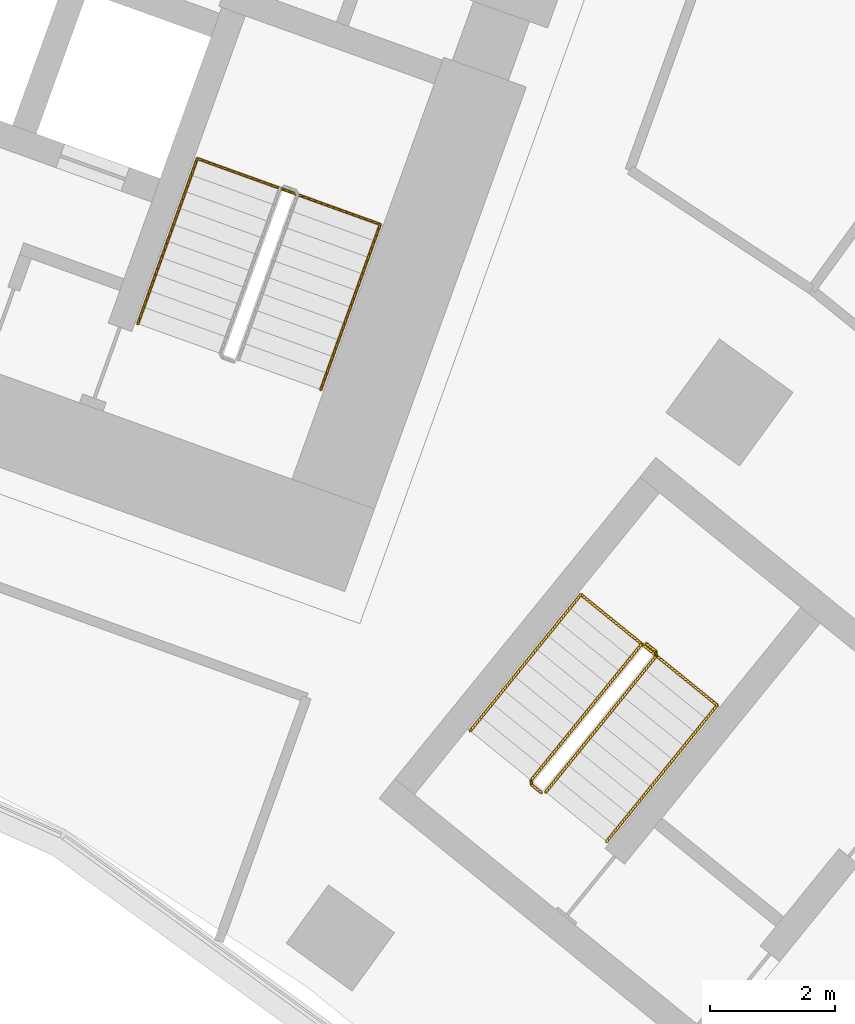
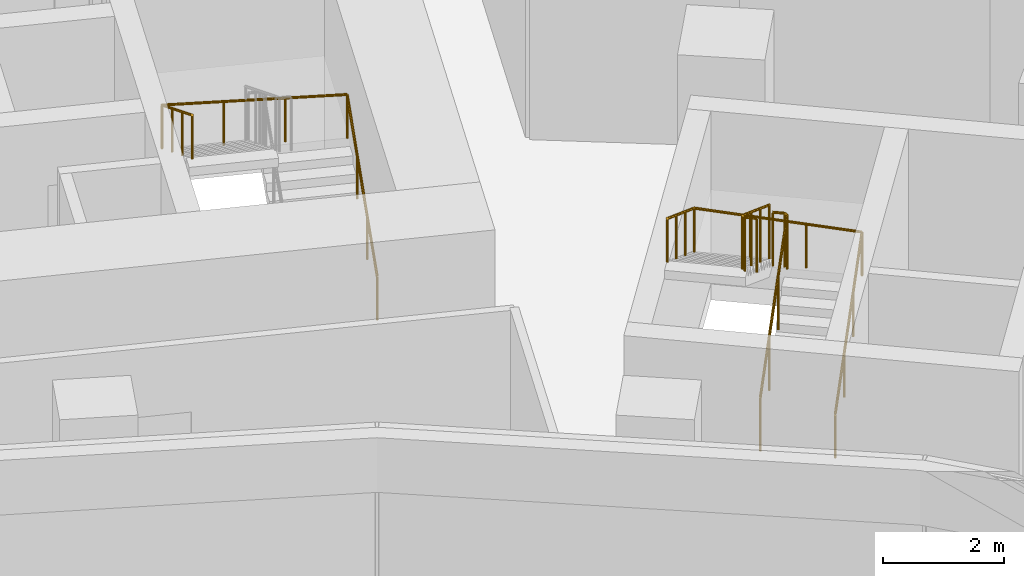
# One storey, part 23 of 23: 4 railings.
"""IFC4 building model written with IfcOpenShell, lengths in metres."""

from ifc_helpers import new_model, si_unit, direction, frame, origin, origin_2d, place, context, subcontext, project, spatial, circle, extrude, material, type_object, element, save


model = new_model("IFC4")

# Units and contexts
model_context = context("Model", 3, precision=1e-05, world=origin(), true_north=direction((0.0, 1.0)))
body_context = subcontext(model_context, "Body", "Model", "MODEL_VIEW")
ifc_project = project(units=[si_unit("LENGTHUNIT", "METRE"), si_unit("AREAUNIT", "SQUARE_METRE"), si_unit("VOLUMEUNIT", "CUBIC_METRE"), si_unit("PLANEANGLEUNIT", "RADIAN"), si_unit("MASSUNIT", "GRAM", prefix="KILO")], contexts=[model_context])

# Site, building, storey
site_placement = place(None, origin())
site = spatial("IfcSite", under=ifc_project, at=site_placement, CompositionType="ELEMENT")
building_placement = place(site_placement, origin())
building = spatial("IfcBuilding", under=site, at=building_placement, Name="Stone Belt Terrace Tower", CompositionType="ELEMENT")
storey_placement = place(building_placement, frame((0.0, 0.0, 98.39990234375)))
storey = spatial("IfcBuildingStorey", under=building, at=storey_placement, Name="L23", CompositionType="ELEMENT", Elevation=98.39990234375)

# Railings
ifc_material = material(Name="Structural steel C345", Category="steel")
railing_type_1 = type_object("IfcRailingType", Name="Stair guard 1100", PredefinedType="GUARDRAIL", material=ifc_material)
railing_1_placement = place(storey_placement, frame((29.39794921875, 38.281982421875, 0.1728515625)))
element("IfcRailing", 1, at=railing_1_placement, inside=storey, type_object=railing_type_1, Name="L23 ST3B stair guard 1", PredefinedType="GUARDRAIL", context=body_context, shape_type="SweptSolid", body=[
    extrude(circle(Radius=0.02392578125, at=origin_2d()), frame((0.0, 0.0, 1.076171875), z_axis=(0.536393061503, 0.660769759217, 0.525038864158), x_axis=(-0.776391310223, 0.630251166924, 0.0)), (0.0, 0.0, 1.0), 3.289794921875),
    extrude(circle(Radius=0.02392578125, at=origin_2d()), frame((1.7646484375, 2.173828125, 2.80322265625), z_axis=(-0.103251414163, 0.994655289773, 0.0), x_axis=(-0.994655289773, -0.103251414163, 0.0)), (0.0, 0.0, 1.0), 0.071044921875),
    extrude(circle(Radius=0.02392578125, at=origin_2d()), frame((1.75732421875, 2.244384765625, 2.80322265625), z_axis=(-0.776561986372, 0.630040856868, 0.0), x_axis=(-0.630040856868, -0.776561986372, 0.0)), (0.0, 0.0, 1.0), 0.199951171875),
    extrude(circle(Radius=0.02099609375, at=origin_2d()), origin(), (0.0, 0.0, 1.0), 1.052001953125),
    extrude(circle(Radius=0.02099609375, at=origin_2d()), frame((0.588134765625, 0.724609375, 0.57568359375)), (0.0, 0.0, 1.0), 1.052001953125),
    extrude(circle(Radius=0.02099609375, at=origin_2d()), frame((1.176513671875, 1.44921875, 1.151611328125)), (0.0, 0.0, 1.0), 1.052001953125),
    extrude(circle(Radius=0.02099609375, at=origin_2d()), frame((1.7646484375, 2.173828125, 1.727294921875)), (0.0, 0.0, 1.0), 1.052001953125),
    extrude(circle(Radius=0.02099609375, at=origin_2d()), frame((1.75732421875, 2.244384765625, 1.727294921875)), (0.0, 0.0, 1.0), 1.052001953125),
    extrude(circle(Radius=0.02099609375, at=origin_2d()), frame((1.60205078125, 2.370361328125, 1.727294921875)), (0.0, 0.0, 1.0), 1.052001953125),
])
railing_2_placement = place(storey_placement, frame((30.9296875, 40.64501953125, 2.07275390625)))
element("IfcRailing", 2, at=railing_2_placement, inside=storey, type_object=railing_type_1, Name="L23 ST3B stair guard 2", PredefinedType="GUARDRAIL", context=body_context, shape_type="SweptSolid", body=[
    extrude(circle(Radius=0.02392578125, at=origin_2d()), frame((0.0, 0.0, 1.076171875), z_axis=(-0.536366759382, -0.660811565066, 0.525013118792), x_axis=(0.776425942316, -0.630208502084, 0.0)), (0.0, 0.0, 1.0), 3.2900390625),
    extrude(circle(Radius=0.02392578125, at=origin_2d()), frame((-1.7646484375, -2.174072265625, 2.80322265625), z_axis=(0.103606084259, -0.994618408891, 0.0), x_axis=(0.994618408891, 0.103606084259, 0.0)), (0.0, 0.0, 1.0), 0.07080078125),
    extrude(circle(Radius=0.02392578125, at=origin_2d()), frame((-1.75732421875, -2.244384765625, 2.80322265625), z_axis=(0.776561986372, -0.630040856868, 0.0), x_axis=(0.630040856868, 0.776561986372, 0.0)), (0.0, 0.0, 1.0), 0.199951171875),
    extrude(circle(Radius=0.02099609375, at=origin_2d()), origin(), (0.0, 0.0, 1.0), 1.052001953125),
    extrude(circle(Radius=0.02099609375, at=origin_2d()), frame((-0.588134765625, -0.724609375, 0.57568359375)), (0.0, 0.0, 1.0), 1.052001953125),
    extrude(circle(Radius=0.02099609375, at=origin_2d()), frame((-1.176513671875, -1.449462890625, 1.151611328125)), (0.0, 0.0, 1.0), 1.052001953125),
    extrude(circle(Radius=0.02099609375, at=origin_2d()), frame((-1.7646484375, -2.174072265625, 1.727294921875)), (0.0, 0.0, 1.0), 1.052001953125),
    extrude(circle(Radius=0.02099609375, at=origin_2d()), frame((-1.75732421875, -2.244384765625, 1.727294921875)), (0.0, 0.0, 1.0), 1.052001953125),
    extrude(circle(Radius=0.02099609375, at=origin_2d()), frame((-1.60205078125, -2.370361328125, 1.727294921875)), (0.0, 0.0, 1.0), 1.052001953125),
])
railing_type_2 = type_object("IfcRailingType", Name="Stair handrail 900", PredefinedType="HANDRAIL", material=ifc_material)
railing_3_placement = place(storey_placement, frame((25.8115234375, 44.700439453125, 0.1728515625)))
element("IfcRailing", 3, at=railing_3_placement, inside=storey, type_object=railing_type_2, Name="L23 ST1B stair handrail 1", PredefinedType="HANDRAIL", context=body_context, shape_type="SweptSolid", body=[
    extrude(circle(Radius=0.02392578125, at=origin_2d()), frame((0.0, 0.0, 0.8759765625), z_axis=(0.288228637646, 0.800791768495, 0.525030280985), x_axis=(-0.940908529223, 0.338660803216, 0.0)), (0.0, 0.0, 1.0), 3.289794921875),
    extrude(circle(Radius=0.02392578125, at=origin_2d()), frame((0.9482421875, 2.634521484375, 2.60302734375), z_axis=(-0.939464517435, 0.338106580597, 0.055591012205), x_axis=(-0.338630230244, -0.940919532779, 0.0)), (0.0, 0.0, 1.0), 3.10498046875),
    extrude(circle(Radius=0.02392578125, at=origin_2d()), frame((-1.96875, 3.684326171875, 2.77587890625), z_axis=(-0.288160591223, -0.800808895155, 0.52504150989), x_axis=(0.940936311087, -0.338583606334, 0.0)), (0.0, 0.0, 1.0), 3.289794921875),
    extrude(circle(Radius=0.02099609375, at=origin_2d()), origin(), (0.0, 0.0, 1.0), 0.851806640625),
    extrude(circle(Radius=0.02099609375, at=origin_2d()), frame((0.316162109375, 0.878173828125, 0.57568359375)), (0.0, 0.0, 1.0), 0.851806640625),
    extrude(circle(Radius=0.02099609375, at=origin_2d()), frame((0.632080078125, 1.75634765625, 1.151611328125)), (0.0, 0.0, 1.0), 0.851806640625),
    extrude(circle(Radius=0.02099609375, at=origin_2d()), frame((0.9482421875, 2.634521484375, 1.727294921875)), (0.0, 0.0, 1.0), 0.851806640625),
    extrude(circle(Radius=0.02099609375, at=origin_2d()), frame((-0.024169921875, 2.984375, 1.784912109375)), (0.0, 0.0, 1.0), 0.851806640625),
    extrude(circle(Radius=0.02099609375, at=origin_2d()), frame((-0.996337890625, 3.33447265625, 1.84228515625)), (0.0, 0.0, 1.0), 0.851806640625),
    extrude(circle(Radius=0.02099609375, at=origin_2d()), frame((-1.96875, 3.684326171875, 1.89990234375)), (0.0, 0.0, 1.0), 0.851806640625),
    extrude(circle(Radius=0.02099609375, at=origin_2d()), frame((-2.28466796875, 2.80615234375, 2.4755859375)), (0.0, 0.0, 1.0), 0.851806640625),
    extrude(circle(Radius=0.02099609375, at=origin_2d()), frame((-2.600830078125, 1.927978515625, 3.051513671875)), (0.0, 0.0, 1.0), 0.851806640625),
    extrude(circle(Radius=0.02099609375, at=origin_2d()), frame((-2.916748046875, 1.0498046875, 3.627197265625)), (0.0, 0.0, 1.0), 0.851806640625),
])
railing_4_placement = place(storey_placement, frame((30.36865234375, 37.494140625, 0.1728515625)))
element("IfcRailing", 4, at=railing_4_placement, inside=storey, type_object=railing_type_2, Name="L23 ST3B stair handrail 1", PredefinedType="HANDRAIL", context=body_context, shape_type="SweptSolid", body=[
    extrude(circle(Radius=0.02392578125, at=origin_2d()), frame((0.0, 0.0, 0.8759765625), z_axis=(0.536366759382, 0.660811565066, 0.525013118792), x_axis=(-0.776425942316, 0.630208502084, 0.0)), (0.0, 0.0, 1.0), 3.2900390625),
    extrude(circle(Radius=0.02392578125, at=origin_2d()), frame((1.7646484375, 2.174072265625, 2.60302734375), z_axis=(-0.774954966459, 0.629014542119, 0.061526463929), x_axis=(-0.630208502084, -0.776425942316, 0.0)), (0.0, 0.0, 1.0), 2.805419921875),
    extrude(circle(Radius=0.02392578125, at=origin_2d()), frame((-0.409423828125, 3.938720703125, 2.77587890625), z_axis=(-0.536366759382, -0.660811565066, 0.525013118792), x_axis=(0.776425942316, -0.630208502084, 0.0)), (0.0, 0.0, 1.0), 3.2900390625),
    extrude(circle(Radius=0.02099609375, at=origin_2d()), origin(), (0.0, 0.0, 1.0), 0.851806640625),
    extrude(circle(Radius=0.02099609375, at=origin_2d()), frame((0.588134765625, 0.724609375, 0.57568359375)), (0.0, 0.0, 1.0), 0.851806640625),
    extrude(circle(Radius=0.02099609375, at=origin_2d()), frame((1.176513671875, 1.449462890625, 1.151611328125)), (0.0, 0.0, 1.0), 0.851806640625),
    extrude(circle(Radius=0.02099609375, at=origin_2d()), frame((1.7646484375, 2.174072265625, 1.727294921875)), (0.0, 0.0, 1.0), 0.851806640625),
    extrude(circle(Radius=0.02099609375, at=origin_2d()), frame((1.0400390625, 2.76220703125, 1.784912109375)), (0.0, 0.0, 1.0), 0.851806640625),
    extrude(circle(Radius=0.02099609375, at=origin_2d()), frame((0.315185546875, 3.3505859375, 1.84228515625)), (0.0, 0.0, 1.0), 0.851806640625),
    extrude(circle(Radius=0.02099609375, at=origin_2d()), frame((-0.409423828125, 3.938720703125, 1.89990234375)), (0.0, 0.0, 1.0), 0.851806640625),
    extrude(circle(Radius=0.02099609375, at=origin_2d()), frame((-0.99755859375, 3.214111328125, 2.4755859375)), (0.0, 0.0, 1.0), 0.851806640625),
    extrude(circle(Radius=0.02099609375, at=origin_2d()), frame((-1.5859375, 2.4892578125, 3.051513671875)), (0.0, 0.0, 1.0), 0.851806640625),
    extrude(circle(Radius=0.02099609375, at=origin_2d()), frame((-2.174072265625, 1.7646484375, 3.627197265625)), (0.0, 0.0, 1.0), 0.851806640625),
])

save(model, "model.ifc")
